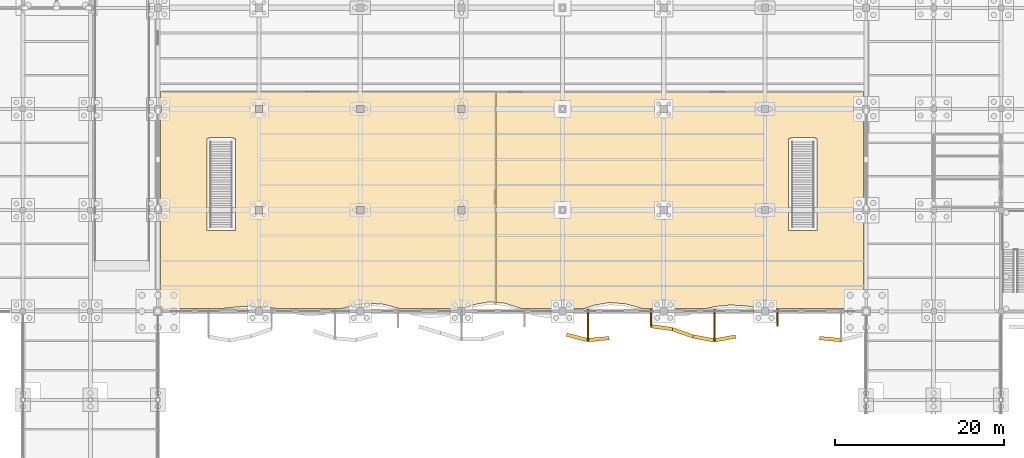
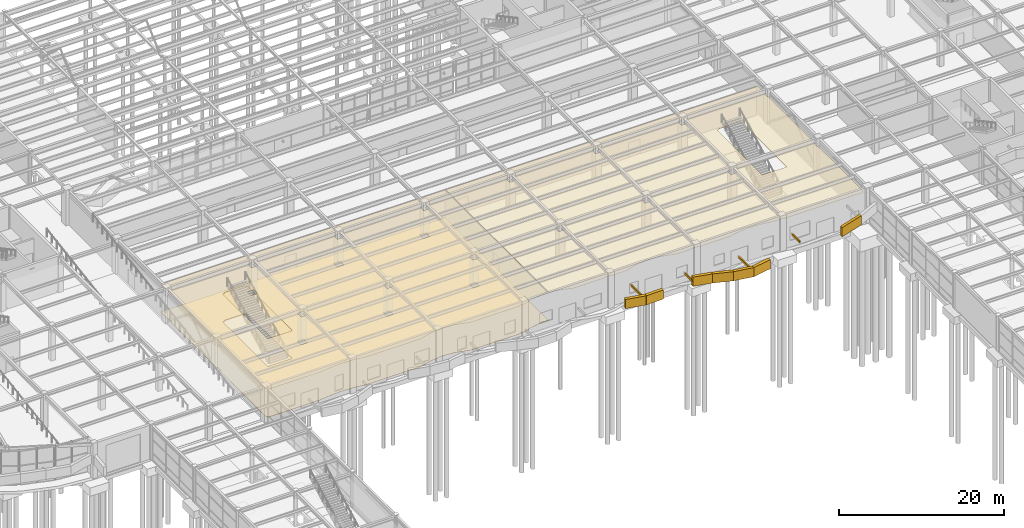
# One storey, part 75 of 85: 14 coverings.
"""IFC4 building model written with IfcOpenShell, lengths in metres."""

from ifc_helpers import new_model, si_unit, direction, frame, frame_2d, origin, place, context, subcontext, project, spatial, polyline, rectangle, outline, extrude, material, layer, layer_set, type_object, element, save


model = new_model("IFC4")

# Units and contexts
model_context = context("Model", 3, precision=1e-05, world=origin(), true_north=direction((0.0, 1.0)))
body_context = subcontext(model_context, "Body", "Model", "MODEL_VIEW")
ifc_project = project(units=[si_unit("LENGTHUNIT", "METRE"), si_unit("AREAUNIT", "SQUARE_METRE"), si_unit("VOLUMEUNIT", "CUBIC_METRE"), si_unit("PLANEANGLEUNIT", "RADIAN"), si_unit("MASSUNIT", "GRAM", prefix="KILO")], contexts=[model_context])

# Site, building, storey
site_placement = place(None, origin())
site = spatial("IfcSite", under=ifc_project, at=site_placement, CompositionType="ELEMENT")
building_placement = place(site_placement, origin())
building = spatial("IfcBuilding", under=site, at=building_placement, Name="Keelwater Ferry Terminal", CompositionType="ELEMENT")
storey_placement = place(building_placement, origin())
storey = spatial("IfcBuildingStorey", under=building, at=storey_placement, Name="L00", CompositionType="ELEMENT", Elevation=0.0)

# Coverings
ifc_material_1 = material(Name="Perforated acoustic gypsum board ceiling", Category="gypsum")
ifc_layer_1 = layer(ifc_material_1, 0.044921875)
ifc_layer_set_1 = layer_set([ifc_layer_1], Name="Perforated acoustic gypsum board ceiling")
covering_type_1 = type_object("IfcCoveringType", Name="CL-AC Acoustic Baffle Ceiling", PredefinedType="CEILING", material=ifc_layer_set_1)
covering_1_placement = place(storey_placement, frame((0.0, 0.0, 4.10009765625)))
element("IfcCovering", 1, at=covering_1_placement, inside=storey, type_object=covering_type_1, Name="Ticketing Arcade Acoustic Ceiling", PredefinedType="CEILING", context=body_context, shape_type="SweptSolid", body=[
    extrude(outline(polyline([(48.320068359375, 54.43701171875), (48.320068359375, 54.445068359375), (48.320068359375, 65.554931640625), (48.320068359375, 65.56298828125), (48.321044921875, 65.56494140625), (48.43505859375, 65.56494140625), (48.43505859375, 66.43505859375), (48.321044921875, 66.43505859375), (48.320068359375, 66.43701171875), (48.320068359375, 66.445068359375), (48.320068359375, 68.0), (48.320068359375, 68.008056640625), (48.322021484375, 68.01611328125), (48.322998046875, 68.02294921875), (48.325927734375, 68.031005859375), (48.3291015625, 68.0380859375), (48.3330078125, 68.0439453125), (48.337890625, 68.051025390625), (48.343017578125, 68.056884765625), (48.34912109375, 68.06201171875), (48.35595703125, 68.06689453125), (48.362060546875, 68.071044921875), (48.368896484375, 68.073974609375), (48.376953125, 68.076904296875), (48.384033203125, 68.077880859375), (48.39208984375, 68.080078125), (48.39990234375, 68.080078125), (88.0, 68.080078125), (88.008056640625, 68.080078125), (88.01611328125, 68.077880859375), (88.02294921875, 68.076904296875), (88.031005859375, 68.073974609375), (88.0380859375, 68.071044921875), (88.0439453125, 68.06689453125), (88.051025390625, 68.06201171875), (88.056884765625, 68.056884765625), (88.06201171875, 68.051025390625), (88.06689453125, 68.0439453125), (88.071044921875, 68.0380859375), (88.073974609375, 68.031005859375), (88.076904296875, 68.02294921875), (88.077880859375, 68.01611328125), (88.080078125, 68.008056640625), (88.080078125, 68.0), (88.080078125, 43.136962890625), (88.080078125, 43.12890625), (88.077880859375, 43.12109375), (88.076904296875, 43.114013671875), (88.073974609375, 43.10595703125), (88.071044921875, 43.09912109375), (88.06689453125, 43.093017578125), (88.06201171875, 43.0859375), (88.056884765625, 43.0810546875), (88.051025390625, 43.074951171875), (88.044921875, 43.071044921875), (88.0380859375, 43.06689453125), (88.031005859375, 43.06298828125), (88.02392578125, 43.06103515625), (88.01611328125, 43.05908203125), (88.008056640625, 43.056884765625), (88.0, 43.056884765625), (87.998046875, 43.056884765625), (87.344970703125, 43.117919921875), (87.320068359375, 43.118896484375), (87.294921875, 43.117919921875), (87.27001953125, 43.114990234375), (85.48291015625, 42.794921875), (85.467041015625, 42.791015625), (85.4619140625, 42.7900390625), (85.4580078125, 42.7890625), (85.44091796875, 42.783935546875), (84.4208984375, 42.43505859375), (83.56494140625, 42.43505859375), (83.56494140625, 42.321044921875), (83.56298828125, 42.320068359375), (83.554931640625, 42.320068359375), (76.73388671875, 42.320068359375), (76.72705078125, 42.320068359375), (76.719970703125, 42.321044921875), (76.712890625, 42.322998046875), (76.678955078125, 42.3330078125), (76.6689453125, 42.3359375), (74.882080078125, 42.81689453125), (74.85595703125, 42.822998046875), (74.830078125, 42.825927734375), (73.0419921875, 42.9609375), (73.011962890625, 42.9619140625), (72.98095703125, 42.958984375), (71.194091796875, 42.701904296875), (71.1630859375, 42.696044921875), (69.791015625, 42.337890625), (69.73095703125, 42.322998046875), (69.72412109375, 42.321044921875), (69.718017578125, 42.320068359375), (69.7109375, 42.320068359375), (62.180908203125, 42.320068359375), (62.169921875, 42.321044921875), (60.552001953125, 42.55810546875), (60.51904296875, 42.56103515625), (60.514892578125, 42.56103515625), (60.513916015625, 42.56103515625), (58.735107421875, 42.612060546875), (58.73388671875, 42.612060546875), (58.73095703125, 42.612060546875), (58.700927734375, 42.611083984375), (56.998046875, 42.47802734375), (56.9150390625, 42.470947265625), (56.910888671875, 42.470947265625), (56.905029296875, 42.469970703125), (55.993896484375, 42.3701171875), (55.5458984375, 42.320068359375), (55.537109375, 42.320068359375), (48.52001953125, 42.320068359375), (48.511962890625, 42.320068359375), (48.510009765625, 42.321044921875), (48.510009765625, 42.510009765625), (48.321044921875, 42.510009765625), (48.320068359375, 42.511962890625), (48.320068359375, 42.52001953125), (48.320068359375, 53.554931640625), (48.320068359375, 53.56298828125), (48.321044921875, 53.56494140625), (48.43505859375, 53.56494140625), (48.43505859375, 54.43505859375), (48.321044921875, 54.43505859375), (48.320068359375, 54.43701171875)]), holes=[polyline([(54.080078125, 62.47998046875), (53.800048828125, 62.47998046875), (53.800048828125, 51.60009765625), (57.199951171875, 51.60009765625), (57.199951171875, 62.47998046875), (56.919921875, 62.47998046875), (56.919921875, 62.6201171875), (54.080078125, 62.6201171875), (54.080078125, 62.47998046875)]), polyline([(59.56494140625, 54.43505859375), (59.56494140625, 53.56494140625), (60.43505859375, 53.56494140625), (60.43505859375, 54.43505859375), (59.56494140625, 54.43505859375)]), polyline([(72.43505859375, 54.43505859375), (71.56494140625, 54.43505859375), (71.56494140625, 53.56494140625), (72.43505859375, 53.56494140625), (72.43505859375, 54.43505859375)]), polyline([(72.43505859375, 66.43505859375), (71.56494140625, 66.43505859375), (71.56494140625, 65.56494140625), (72.43505859375, 65.56494140625), (72.43505859375, 66.43505859375)]), polyline([(59.56494140625, 66.43505859375), (59.56494140625, 65.56494140625), (60.43505859375, 65.56494140625), (60.43505859375, 66.43505859375), (59.56494140625, 66.43505859375)]), polyline([(84.43505859375, 54.43505859375), (83.56494140625, 54.43505859375), (83.56494140625, 53.56494140625), (84.43505859375, 53.56494140625), (84.43505859375, 54.43505859375)]), polyline([(84.43505859375, 66.43505859375), (83.56494140625, 66.43505859375), (83.56494140625, 65.56494140625), (84.43505859375, 65.56494140625), (84.43505859375, 66.43505859375)])]), origin(), (0.0, 0.0, 1.0), 0.044921875),
])
covering_2_placement = place(storey_placement, frame((0.0, 0.0, 4.10009765625)))
element("IfcCovering", 2, at=covering_2_placement, inside=storey, type_object=covering_type_1, Name="Passenger Security Check-In Hall Acoustic Ceiling", PredefinedType="CEILING", context=body_context, shape_type="SweptSolid", body=[
    extrude(outline(polyline([(95.56298828125, 42.320068359375), (95.554931640625, 42.320068359375), (91.1650390625, 42.320068359375), (91.156982421875, 42.320068359375), (91.14892578125, 42.322021484375), (91.14111328125, 42.323974609375), (91.135986328125, 42.324951171875), (90.986083984375, 42.376953125), (90.97802734375, 42.3798828125), (89.18994140625, 42.93994140625), (89.160888671875, 42.947998046875), (89.132080078125, 42.951904296875), (87.987060546875, 43.05810546875), (87.985107421875, 43.05810546875), (87.97705078125, 43.06005859375), (87.969970703125, 43.06298828125), (87.962890625, 43.06591796875), (87.9560546875, 43.070068359375), (87.948974609375, 43.074951171875), (87.944091796875, 43.080078125), (87.93798828125, 43.0859375), (87.93408203125, 43.092041015625), (87.928955078125, 43.09912109375), (87.926025390625, 43.10595703125), (87.923095703125, 43.114013671875), (87.922119140625, 43.12109375), (87.919921875, 43.12890625), (87.919921875, 43.136962890625), (87.919921875, 68.0), (87.919921875, 68.008056640625), (87.922119140625, 68.01611328125), (87.923095703125, 68.02294921875), (87.926025390625, 68.031005859375), (87.928955078125, 68.0380859375), (87.93310546875, 68.0439453125), (87.93798828125, 68.051025390625), (87.943115234375, 68.056884765625), (87.948974609375, 68.06201171875), (87.9560546875, 68.06689453125), (87.9619140625, 68.071044921875), (87.968994140625, 68.073974609375), (87.97705078125, 68.076904296875), (87.98388671875, 68.077880859375), (87.991943359375, 68.080078125), (88.0, 68.080078125), (131.60009765625, 68.080078125), (131.60791015625, 68.080078125), (131.615966796875, 68.077880859375), (131.623046875, 68.076904296875), (131.631103515625, 68.073974609375), (131.637939453125, 68.071044921875), (131.64404296875, 68.06689453125), (131.65087890625, 68.06201171875), (131.656982421875, 68.056884765625), (131.662109375, 68.051025390625), (131.6669921875, 68.0439453125), (131.6708984375, 68.0380859375), (131.674072265625, 68.031005859375), (131.677001953125, 68.02294921875), (131.677978515625, 68.01611328125), (131.679931640625, 68.008056640625), (131.679931640625, 68.0), (131.679931640625, 66.445068359375), (131.679931640625, 66.43701171875), (131.678955078125, 66.43505859375), (131.56494140625, 66.43505859375), (131.56494140625, 65.56494140625), (131.678955078125, 65.56494140625), (131.679931640625, 65.56298828125), (131.679931640625, 65.554931640625), (131.679931640625, 54.445068359375), (131.679931640625, 54.43701171875), (131.678955078125, 54.43505859375), (131.56494140625, 54.43505859375), (131.56494140625, 53.56494140625), (131.678955078125, 53.56494140625), (131.679931640625, 53.56298828125), (131.679931640625, 53.554931640625), (131.679931640625, 42.52001953125), (131.679931640625, 42.511962890625), (131.678955078125, 42.510009765625), (131.489990234375, 42.510009765625), (131.489990234375, 42.321044921875), (131.488037109375, 42.320068359375), (131.47998046875, 42.320068359375), (130.7060546875, 42.320068359375), (130.7041015625, 42.320068359375), (130.693115234375, 42.320068359375), (130.221923828125, 42.3349609375), (130.212890625, 42.3349609375), (130.212890625, 42.3349609375), (130.212890625, 42.3349609375), (128.428955078125, 42.337890625), (128.428955078125, 42.337890625), (128.426025390625, 42.337890625), (128.410888671875, 42.337890625), (128.094970703125, 42.320068359375), (128.091064453125, 42.320068359375), (120.445068359375, 42.320068359375), (120.43701171875, 42.320068359375), (120.43505859375, 42.321044921875), (120.43505859375, 42.43505859375), (119.56494140625, 42.43505859375), (119.56494140625, 42.360107421875), (119.55810546875, 42.35888671875), (119.550048828125, 42.35888671875), (119.547119140625, 42.35888671875), (119.531005859375, 42.362060546875), (117.7451171875, 42.64208984375), (117.718017578125, 42.64501953125), (115.930908203125, 42.75), (115.908935546875, 42.75), (115.886962890625, 42.7490234375), (114.10009765625, 42.56689453125), (114.06689453125, 42.56103515625), (113.001953125, 42.322021484375), (112.993896484375, 42.320068359375), (112.985107421875, 42.320068359375), (108.445068359375, 42.320068359375), (108.43701171875, 42.320068359375), (108.43505859375, 42.321044921875), (108.43505859375, 42.43505859375), (107.56494140625, 42.43505859375), (107.56494140625, 42.321044921875), (107.56298828125, 42.320068359375), (107.554931640625, 42.320068359375), (105.5439453125, 42.320068359375), (105.537109375, 42.320068359375), (105.530029296875, 42.321044921875), (105.52490234375, 42.322021484375), (105.26806640625, 42.39599609375), (105.263916015625, 42.39697265625), (103.47705078125, 42.8798828125), (103.452880859375, 42.885986328125), (103.451904296875, 42.885986328125), (103.450927734375, 42.885986328125), (103.427001953125, 42.888916015625), (101.639892578125, 43.0390625), (101.616943359375, 43.0400390625), (101.593994140625, 43.0390625), (101.571044921875, 43.035888671875), (99.783935546875, 42.739013671875), (99.76708984375, 42.736083984375), (99.762939453125, 42.735107421875), (99.759033203125, 42.73388671875), (99.741943359375, 42.72900390625), (98.512939453125, 42.323974609375), (98.506103515625, 42.322021484375), (98.4970703125, 42.320068359375), (98.489013671875, 42.320068359375), (96.445068359375, 42.320068359375), (96.43701171875, 42.320068359375), (96.43505859375, 42.321044921875), (96.43505859375, 42.43505859375), (95.56494140625, 42.43505859375), (95.56494140625, 42.321044921875), (95.56298828125, 42.320068359375)]), holes=[polyline([(123.080078125, 62.47998046875), (122.800048828125, 62.47998046875), (122.800048828125, 51.60009765625), (126.199951171875, 51.60009765625), (126.199951171875, 62.47998046875), (125.919921875, 62.47998046875), (125.919921875, 62.6201171875), (123.080078125, 62.6201171875), (123.080078125, 62.47998046875)]), polyline([(107.56494140625, 54.43505859375), (107.56494140625, 53.56494140625), (108.43505859375, 53.56494140625), (108.43505859375, 54.43505859375), (107.56494140625, 54.43505859375)]), polyline([(96.43505859375, 54.43505859375), (95.56494140625, 54.43505859375), (95.56494140625, 53.56494140625), (96.43505859375, 53.56494140625), (96.43505859375, 54.43505859375)]), polyline([(119.56494140625, 54.43505859375), (119.56494140625, 53.56494140625), (120.43505859375, 53.56494140625), (120.43505859375, 54.43505859375), (119.56494140625, 54.43505859375)]), polyline([(108.43505859375, 66.43505859375), (107.56494140625, 66.43505859375), (107.56494140625, 65.56494140625), (108.43505859375, 65.56494140625), (108.43505859375, 66.43505859375)]), polyline([(95.56494140625, 66.43505859375), (95.56494140625, 65.56494140625), (96.43505859375, 65.56494140625), (96.43505859375, 66.43505859375), (95.56494140625, 66.43505859375)]), polyline([(120.43505859375, 66.43505859375), (119.56494140625, 66.43505859375), (119.56494140625, 65.56494140625), (120.43505859375, 65.56494140625), (120.43505859375, 66.43505859375)])]), origin(), (0.0, 0.0, 1.0), 0.044921875),
])
ifc_material_2 = material(Name="Polished mineral terrazzo tile", Category="stone")
ifc_layer_2 = layer(ifc_material_2, 0.030029296875)
ifc_layer_set_2 = layer_set([ifc_layer_2], Name="Polished mineral terrazzo tile")
covering_type_2 = type_object("IfcCoveringType", Name="FL-TZ Marine Terrazzo Flooring", PredefinedType="FLOORING", material=ifc_layer_set_2)
covering_3_placement = place(storey_placement, origin())
element("IfcCovering", 3, at=covering_3_placement, inside=storey, type_object=covering_type_2, Name="Ticketing Arcade Terrazzo Floor", PredefinedType="FLOORING", context=body_context, shape_type="SweptSolid", body=[
    extrude(outline(polyline([(48.320068359375, 54.43701171875), (48.320068359375, 54.445068359375), (48.320068359375, 65.554931640625), (48.320068359375, 65.56298828125), (48.321044921875, 65.56494140625), (48.43505859375, 65.56494140625), (48.43505859375, 66.43505859375), (48.321044921875, 66.43505859375), (48.320068359375, 66.43701171875), (48.320068359375, 66.445068359375), (48.320068359375, 68.0), (48.320068359375, 68.008056640625), (48.322021484375, 68.01611328125), (48.322998046875, 68.02294921875), (48.325927734375, 68.031005859375), (48.3291015625, 68.0380859375), (48.3330078125, 68.0439453125), (48.337890625, 68.051025390625), (48.343017578125, 68.056884765625), (48.34912109375, 68.06201171875), (48.35595703125, 68.06689453125), (48.362060546875, 68.071044921875), (48.368896484375, 68.073974609375), (48.376953125, 68.076904296875), (48.384033203125, 68.077880859375), (48.39208984375, 68.080078125), (48.39990234375, 68.080078125), (88.0, 68.080078125), (88.008056640625, 68.080078125), (88.01611328125, 68.077880859375), (88.02294921875, 68.076904296875), (88.031005859375, 68.073974609375), (88.0380859375, 68.071044921875), (88.0439453125, 68.06689453125), (88.051025390625, 68.06201171875), (88.056884765625, 68.056884765625), (88.06201171875, 68.051025390625), (88.06689453125, 68.0439453125), (88.071044921875, 68.0380859375), (88.073974609375, 68.031005859375), (88.076904296875, 68.02294921875), (88.077880859375, 68.01611328125), (88.080078125, 68.008056640625), (88.080078125, 68.0), (88.080078125, 43.136962890625), (88.080078125, 43.12890625), (88.077880859375, 43.12109375), (88.076904296875, 43.114013671875), (88.073974609375, 43.10595703125), (88.071044921875, 43.09912109375), (88.06689453125, 43.093017578125), (88.06201171875, 43.0859375), (88.056884765625, 43.0810546875), (88.051025390625, 43.074951171875), (88.044921875, 43.071044921875), (88.0380859375, 43.06689453125), (88.031005859375, 43.06298828125), (88.02392578125, 43.06103515625), (88.01611328125, 43.05908203125), (88.008056640625, 43.056884765625), (88.0, 43.056884765625), (87.998046875, 43.056884765625), (87.344970703125, 43.117919921875), (87.320068359375, 43.118896484375), (87.294921875, 43.117919921875), (87.27001953125, 43.114990234375), (85.48291015625, 42.794921875), (85.467041015625, 42.791015625), (85.4619140625, 42.7900390625), (85.4580078125, 42.7890625), (85.44091796875, 42.783935546875), (84.4208984375, 42.43505859375), (83.56494140625, 42.43505859375), (83.56494140625, 42.321044921875), (83.56298828125, 42.320068359375), (83.554931640625, 42.320068359375), (76.73388671875, 42.320068359375), (76.72705078125, 42.320068359375), (76.719970703125, 42.321044921875), (76.712890625, 42.322998046875), (76.678955078125, 42.3330078125), (76.6689453125, 42.3359375), (74.882080078125, 42.81689453125), (74.85595703125, 42.822998046875), (74.830078125, 42.825927734375), (73.0419921875, 42.9609375), (73.011962890625, 42.9619140625), (72.98095703125, 42.958984375), (71.194091796875, 42.701904296875), (71.1630859375, 42.696044921875), (69.791015625, 42.337890625), (69.73095703125, 42.322998046875), (69.72412109375, 42.321044921875), (69.718017578125, 42.320068359375), (69.7109375, 42.320068359375), (62.180908203125, 42.320068359375), (62.169921875, 42.321044921875), (60.552001953125, 42.55810546875), (60.51904296875, 42.56103515625), (60.514892578125, 42.56103515625), (60.513916015625, 42.56103515625), (58.735107421875, 42.612060546875), (58.73388671875, 42.612060546875), (58.73095703125, 42.612060546875), (58.700927734375, 42.611083984375), (56.998046875, 42.47802734375), (56.9150390625, 42.470947265625), (56.910888671875, 42.470947265625), (56.905029296875, 42.469970703125), (55.993896484375, 42.3701171875), (55.5458984375, 42.320068359375), (55.537109375, 42.320068359375), (48.52001953125, 42.320068359375), (48.511962890625, 42.320068359375), (48.510009765625, 42.321044921875), (48.510009765625, 42.510009765625), (48.321044921875, 42.510009765625), (48.320068359375, 42.511962890625), (48.320068359375, 42.52001953125), (48.320068359375, 53.554931640625), (48.320068359375, 53.56298828125), (48.321044921875, 53.56494140625), (48.43505859375, 53.56494140625), (48.43505859375, 54.43505859375), (48.321044921875, 54.43505859375), (48.320068359375, 54.43701171875)]), holes=[polyline([(54.080078125, 62.47998046875), (53.800048828125, 62.47998046875), (53.800048828125, 51.60009765625), (57.199951171875, 51.60009765625), (57.199951171875, 62.47998046875), (56.919921875, 62.47998046875), (56.919921875, 62.6201171875), (54.080078125, 62.6201171875), (54.080078125, 62.47998046875)]), polyline([(59.56494140625, 54.43505859375), (59.56494140625, 53.56494140625), (60.43505859375, 53.56494140625), (60.43505859375, 54.43505859375), (59.56494140625, 54.43505859375)]), polyline([(72.43505859375, 54.43505859375), (71.56494140625, 54.43505859375), (71.56494140625, 53.56494140625), (72.43505859375, 53.56494140625), (72.43505859375, 54.43505859375)]), polyline([(72.43505859375, 66.43505859375), (71.56494140625, 66.43505859375), (71.56494140625, 65.56494140625), (72.43505859375, 65.56494140625), (72.43505859375, 66.43505859375)]), polyline([(59.56494140625, 66.43505859375), (59.56494140625, 65.56494140625), (60.43505859375, 65.56494140625), (60.43505859375, 66.43505859375), (59.56494140625, 66.43505859375)]), polyline([(84.43505859375, 54.43505859375), (83.56494140625, 54.43505859375), (83.56494140625, 53.56494140625), (84.43505859375, 53.56494140625), (84.43505859375, 54.43505859375)]), polyline([(84.43505859375, 66.43505859375), (83.56494140625, 66.43505859375), (83.56494140625, 65.56494140625), (84.43505859375, 65.56494140625), (84.43505859375, 66.43505859375)])]), origin(), (0.0, 0.0, 1.0), 0.030029296875),
])
ifc_material_3 = material(Name="Matte white architectural aluminium fascia ribbon", Category="aluminium")
ifc_layer_3 = layer(ifc_material_3, 0.1201171875)
ifc_layer_set_3 = layer_set([ifc_layer_3], Name="Matte white architectural aluminium fascia ribbon")
covering_type_3 = type_object("IfcCoveringType", Name="RB-WHT Matte White Fascia Ribbon", PredefinedType="CLADDING", material=ifc_layer_set_3)
covering_4_placement = place(storey_placement, frame((96.47607421875, 39.221923828125, 1.26806640625), z_axis=(0.0, 0.0, 1.0), x_axis=(0.969062454422, -0.246815638545, 0.0)))
element("IfcCovering", 4, at=covering_4_placement, inside=storey, type_object=covering_type_3, Name="Quay Plinth Wave Fascia Ribbon 466", PredefinedType="CLADDING", context=body_context, shape_type="SweptSolid", body=[
    extrude(outline(polyline([(0.0, 0.0), (2.629150390625, 0.0478515625), (2.629150390625, 1.39794921875), (0.0, 1.349853515625), (0.0, 0.0)])), frame((0.0, 0.2099609375, 0.0), z_axis=(0.0, -1.0, 0.0), x_axis=(1.0, 0.0, 0.0)), (0.0, 0.0, 1.0), 0.419921875),
])
covering_5_placement = place(storey_placement, frame((98.97509765625, 38.576904296875, 1.157958984375), z_axis=(0.0, 0.0, 1.0), x_axis=(0.995190712751, 0.097956343614, 0.0)))
element("IfcCovering", 5, at=covering_5_placement, inside=storey, type_object=covering_type_3, Name="Quay Plinth Wave Fascia Ribbon 470", PredefinedType="CLADDING", context=body_context, shape_type="SweptSolid", body=[
    extrude(outline(polyline([(0.0, 0.157958984375), (2.56201171875, 0.0), (2.56201171875, 1.35009765625), (0.0, 1.508056640625), (0.0, 0.157958984375)])), frame((0.0, 0.2099609375, 0.0), z_axis=(0.0, -1.0, 0.0), x_axis=(1.0, 0.0, 0.0)), (0.0, 0.0, 1.0), 0.419921875),
])
covering_6_placement = place(storey_placement, frame((99.0, 38.5791015625, 1.85107421875), z_axis=(0.0, 0.0, 1.0), x_axis=(0.0, 1.0, 0.0)))
element("IfcCovering", 6, at=covering_6_placement, inside=storey, type_object=covering_type_3, Name="Ribbon Horizontal Tie Bracket 474", PredefinedType="CLADDING", context=body_context, shape_type="SweptSolid", body=[
    extrude(rectangle(XDim=3.6708984375, YDim=0.159912109375, at=frame_2d((1.83544921875, 0.0))), origin(), (0.0, 0.0, 1.0), 0.280029296875),
])
covering_7_placement = place(storey_placement, frame((106.47509765625, 40.2470703125, 0.25), z_axis=(0.0, 0.0, 1.0), x_axis=(0.990015739635, -0.140956856074, 0.0)))
element("IfcCovering", 7, at=covering_7_placement, inside=storey, type_object=covering_type_3, Name="Quay Plinth Wave Fascia Ribbon 488", PredefinedType="CLADDING", context=body_context, shape_type="SweptSolid", body=[
    extrude(outline(polyline([(0.0, 0.18798828125), (2.575439453125, 0.0), (2.575439453125, 1.35009765625), (0.0, 1.5380859375), (0.0, 0.18798828125)])), frame((0.0, 0.2099609375, 0.0), z_axis=(0.0, -1.0, 0.0), x_axis=(1.0, 0.0, 0.0)), (0.0, 0.0, 1.0), 0.419921875),
])
covering_8_placement = place(storey_placement, frame((106.5, 40.242919921875, 0.972900390625), z_axis=(0.0, 0.0, 1.0), x_axis=(0.0, 1.0, 0.0)))
element("IfcCovering", 8, at=covering_8_placement, inside=storey, type_object=covering_type_3, Name="Ribbon Horizontal Tie Bracket 492", PredefinedType="CLADDING", context=body_context, shape_type="SweptSolid", body=[
    extrude(rectangle(XDim=2.007080078125, YDim=0.159912109375, at=frame_2d((1.00341796875, 0.0))), origin(), (0.0, 0.0, 1.0), 0.280029296875),
])
covering_9_placement = place(storey_placement, frame((108.97607421875, 39.89599609375, 0.25), z_axis=(0.0, 0.0, 1.0), x_axis=(0.943366885716, -0.33175129078, 0.0)))
element("IfcCovering", 9, at=covering_9_placement, inside=storey, type_object=covering_type_3, Name="Quay Plinth Wave Fascia Ribbon 499", PredefinedType="CLADDING", context=body_context, shape_type="SweptSolid", body=[
    extrude(outline(polyline([(0.0, 0.0), (2.700927734375, 0.0), (2.700927734375, 1.35009765625), (0.0, 1.35009765625), (0.0, 0.0)])), frame((0.0, 0.2099609375, 0.0), z_axis=(0.0, -1.0, 0.0), x_axis=(1.0, 0.0, 0.0)), (0.0, 0.0, 1.0), 0.419921875),
])
for number, where, z_axis, x_axis, name in (
    (10, (111.47509765625, 39.012939453125, 0.25), (0.0, 0.0, 1.0), (0.983568673155, -0.180534387824, 0.0), "Quay Plinth Wave Fascia Ribbon 503"),
    (11, (113.97509765625, 38.544921875, 0.25), (0.0, 0.0, 1.0), (0.983568673155, 0.180534387824, 0.0), "Quay Plinth Wave Fascia Ribbon 507"),
):
    element("IfcCovering", number, at=place(storey_placement, frame(where, z_axis=z_axis, x_axis=x_axis)), inside=storey, type_object=covering_type_3, Name=name, PredefinedType="CLADDING", context=body_context, shape_type="SweptSolid", body=[
        extrude(outline(polyline([(0.0, 0.0), (2.59228515625, 0.0), (2.59228515625, 1.35009765625), (0.0, 1.35009765625), (0.0, 0.0)])), frame((0.0, 0.2099609375, 0.0), z_axis=(0.0, -1.0, 0.0), x_axis=(1.0, 0.0, 0.0)), (0.0, 0.0, 1.0), 0.419921875),
    ])
covering_10_placement = place(storey_placement, frame((114.0, 38.550048828125, 0.784912109375), z_axis=(0.0, 0.0, 1.0), x_axis=(0.0, 1.0, 0.0)))
element("IfcCovering", 12, at=covering_10_placement, inside=storey, type_object=covering_type_3, Name="Ribbon Horizontal Tie Bracket 511", PredefinedType="CLADDING", context=body_context, shape_type="SweptSolid", body=[
    extrude(rectangle(XDim=3.699951171875, YDim=0.159912109375, at=frame_2d((1.85009765625, 0.0))), origin(), (0.0, 0.0, 1.0), 0.280029296875),
])
covering_11_placement = place(storey_placement, frame((121.5, 40.242919921875, 1.492919921875), z_axis=(0.0, 0.0, 1.0), x_axis=(0.0, 1.0, 0.0)))
element("IfcCovering", 13, at=covering_11_placement, inside=storey, type_object=covering_type_3, Name="Ribbon Horizontal Tie Bracket 527", PredefinedType="CLADDING", context=body_context, shape_type="SweptSolid", body=[
    extrude(rectangle(XDim=2.007080078125, YDim=0.159912109375, at=frame_2d((1.00341796875, 0.0))), origin(), (0.0, 0.0, 1.0), 0.280029296875),
])
covering_12_placement = place(storey_placement, frame((126.47509765625, 38.827880859375, 1.580078125), z_axis=(0.0, 0.0, 1.0), x_axis=(0.995190712751, -0.097956343614, 0.0)))
element("IfcCovering", 14, at=covering_12_placement, inside=storey, type_object=covering_type_3, Name="Quay Plinth Wave Fascia Ribbon 538", PredefinedType="CLADDING", context=body_context, shape_type="SweptSolid", body=[
    extrude(outline(polyline([(0.0, 0.0), (2.56201171875, 1.055908203125), (2.56201171875, 2.406005859375), (0.0, 1.349853515625), (0.0, 0.0)])), frame((0.0, 0.2099609375, 0.0), z_axis=(0.0, -1.0, 0.0), x_axis=(1.0, 0.0, 0.0)), (0.0, 0.0, 1.0), 0.419921875),
])

save(model, "model.ifc")
